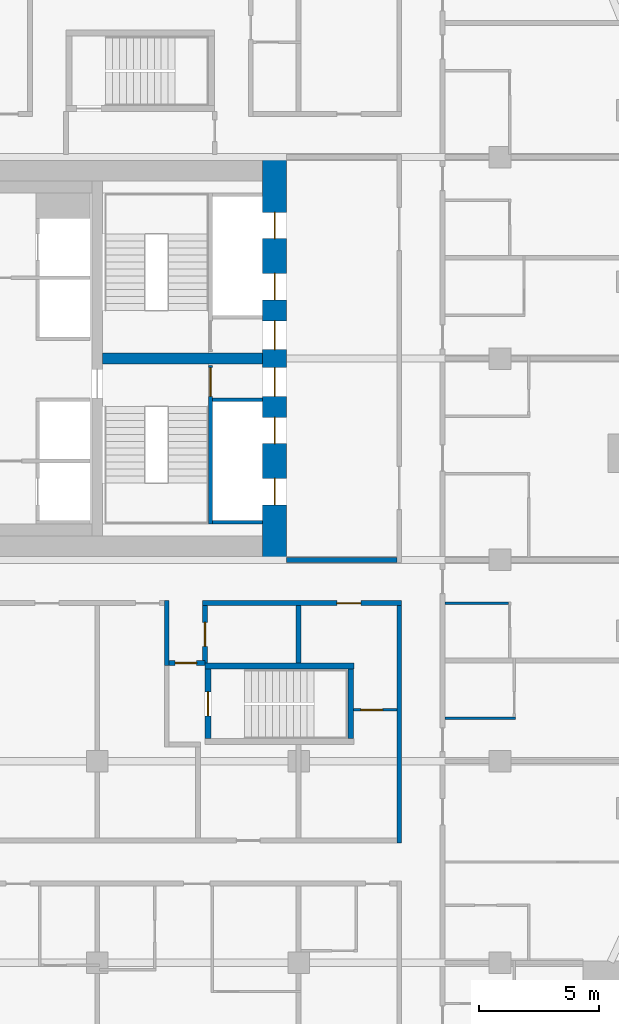
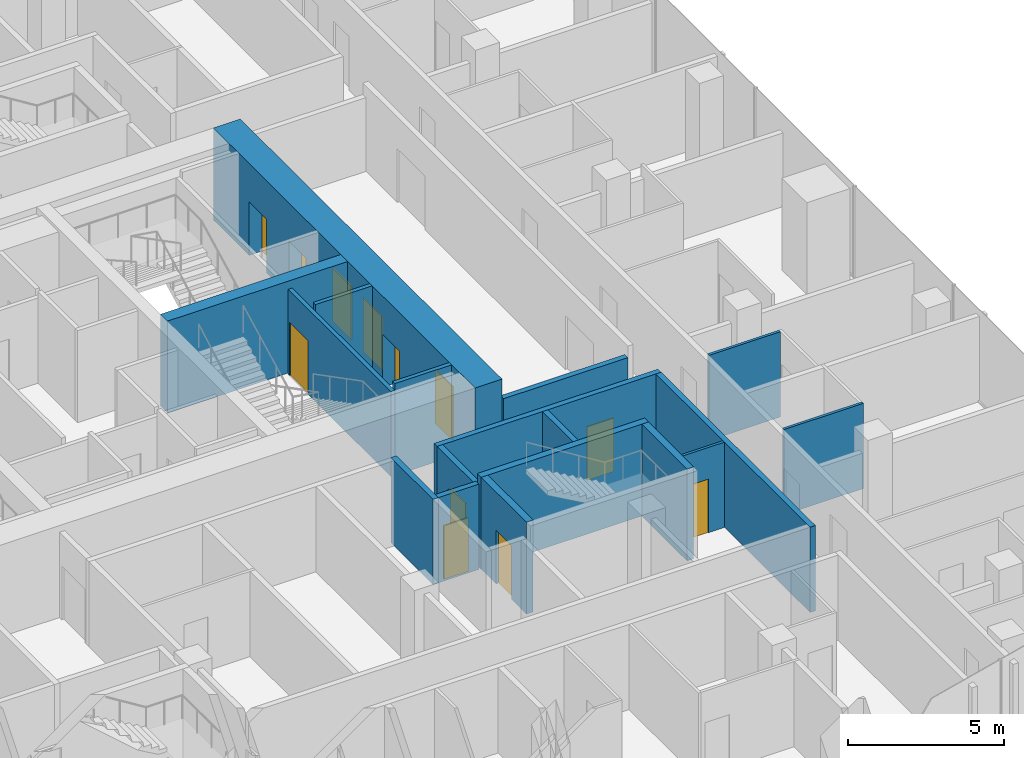
# One storey, part 17 of 23: 18 walls, 12 doors, 12 openings.
"""IFC4 building model written with IfcOpenShell, lengths in metres."""

from ifc_helpers import new_model, si_unit, direction, frame, frame_2d, origin, place, context, subcontext, project, spatial, rectangle, extrude, material, layer, layer_set, type_object, element, fill, save


model = new_model("IFC4")

# Units and contexts
model_context = context("Model", 3, precision=1e-05, world=origin(), true_north=direction((0.0, 1.0)))
body_context = subcontext(model_context, "Body", "Model", "MODEL_VIEW")
ifc_project = project(units=[si_unit("LENGTHUNIT", "METRE"), si_unit("AREAUNIT", "SQUARE_METRE"), si_unit("VOLUMEUNIT", "CUBIC_METRE"), si_unit("PLANEANGLEUNIT", "RADIAN"), si_unit("MASSUNIT", "GRAM", prefix="KILO")], contexts=[model_context])

# Site, building, storey
site_placement = place(None, origin())
site = spatial("IfcSite", under=ifc_project, at=site_placement, CompositionType="ELEMENT")
building_placement = place(site_placement, origin())
building = spatial("IfcBuilding", under=site, at=building_placement, Name="Marenta Gate Hotel Tower", CompositionType="ELEMENT")
storey_placement = place(building_placement, frame((0.0, 0.0, 126.5)))
storey = spatial("IfcBuildingStorey", under=building, at=storey_placement, Name="L28", CompositionType="ELEMENT", Elevation=126.5)

# Walls
ifc_material_1 = material(Name="Concrete blockwork", Category="masonry")
ifc_layer_1 = layer(ifc_material_1, 0.199951171875)
ifc_layer_set_1 = layer_set([ifc_layer_1], Name="Concrete blockwork")
wall_type_1 = type_object("IfcWallType", Name="Core boundary wall 200 REI 180", PredefinedType="PARTITIONING", material=ifc_layer_set_1)
wall_1_placement = place(storey_placement, frame((12.10009765625, 0.0, 0.0), z_axis=(0.0, 0.0, 1.0), x_axis=(1.0, 0.0, 0.0)))
element("IfcWall", 1, at=wall_1_placement, inside=storey, type_object=wall_type_1, Name="L28-CP-EW-ES", PredefinedType="PARTITIONING", context=body_context, shape_type="SweptSolid", body=[
    extrude(rectangle(XDim=4.599853515625, YDim=0.199951171875, at=frame_2d((2.2998046875, 0.0))), origin(), (0.0, 0.0, 1.0), 2.889892578125),
])
ifc_material_2 = material(Name="Concrete C40", Category="concrete")
ifc_layer_2 = layer(ifc_material_2, 0.14990234375)
ifc_layer_set_2 = layer_set([ifc_layer_2], Name="Concrete C40")
wall_type_2 = type_object("IfcWallType", Name="Core shaft wall 150 REI 180", PredefinedType="SHEAR", material=ifc_layer_set_2)
for number, where, z_axis, x_axis, name in (
    (2, (9.0, 6.675048828125, 0.0), (0.0, 0.0, 1.0), (1.0, 0.0, 0.0), "L28-SHF-SW-ES-2"),
    (3, (9.0, 1.574951171875, 0.0), (0.0, 0.0, 1.0), (1.0, 0.0, 0.0), "L28-SHF-SW-ES-5"),
):
    element("IfcWall", number, at=place(storey_placement, frame(where, z_axis=z_axis, x_axis=x_axis)), inside=storey, type_object=wall_type_2, Name=name, PredefinedType="SHEAR", context=body_context, shape_type="SweptSolid", body=[
        extrude(rectangle(XDim=2.10009765625, YDim=0.14990234375, at=frame_2d((1.050048828125, 0.0))), origin(), (0.0, 0.0, 1.0), 3.60009765625),
    ])

# Wall, opening, door
ifc_material_3 = material(Name="Concrete C40", Category="concrete")
ifc_layer_3 = layer(ifc_material_3, 0.14990234375)
ifc_layer_set_3 = layer_set([ifc_layer_3], Name="Concrete C40")
wall_type_3 = type_object("IfcWallType", Name="Core stair enclosure wall 150 REI 180", PredefinedType="SHEAR", material=ifc_layer_set_3)
wall_2_placement = place(storey_placement, frame((8.925048828125, 1.5, 0.0), z_axis=(0.0, 0.0, 1.0), x_axis=(0.0, 1.0, 0.0)))
wall_2 = element("IfcWall", 4, at=wall_2_placement, inside=storey, type_object=wall_type_3, Name="L28-SHF-SW-ES-3", PredefinedType="SHEAR", context=body_context, shape_type="SweptSolid", body=[
    extrude(rectangle(XDim=6.60009765625, YDim=0.14990234375, at=frame_2d((3.300048828125, 0.0))), origin(), (0.0, 0.0, 1.0), 3.340087890625),
])
opening_1_placement = place(wall_2_placement, frame((5.324951171875, 0.0, 0.0)))
opening_1 = element("IfcOpeningElement", 5, at=opening_1_placement, cuts=wall_2, Name="Opening SD-ES", PredefinedType="OPENING", context=body_context, shape_type="SweptSolid", body=[
    extrude(rectangle(XDim=1.199951171875, YDim=2.10009765625, at=frame_2d((0.60009765625, 1.050048828125))), frame((0.0, 0.074951171875, 0.0), z_axis=(0.0, -1.0, 0.0), x_axis=(1.0, 0.0, 0.0)), (0.0, 0.0, 1.0), 0.14990234375),
])
ifc_material_4 = material(Name="Steel", Category="steel")
door_type_1 = type_object("IfcDoorType", Name="Core stair door 1200x2100 FD60", OperationType="SINGLE_SWING_LEFT", PredefinedType="DOOR", material=ifc_material_4)
door_1_placement = place(opening_1_placement, origin())
door_1 = element("IfcDoor", 6, at=door_1_placement, inside=storey, type_object=door_type_1, Name="SD-ES", OperationType="SINGLE_SWING_LEFT", OverallHeight=2.10009765625, OverallWidth=1.199951171875, PredefinedType="DOOR", context=body_context, shape_type="SweptSolid", body=[
    extrude(rectangle(XDim=1.199951171875, YDim=2.10009765625, at=frame_2d((0.60009765625, 1.050048828125))), frame((0.0, 0.02490234375, 0.0), z_axis=(0.0, -1.0, 0.0), x_axis=(1.0, 0.0, 0.0)), (0.0, 0.0, 1.0), 0.050048828125),
])
fill(opening_1, door_1)

# Wall, openings, doors
ifc_material_5 = material(Name="Concrete C70", Category="concrete")
ifc_layer_4 = layer(ifc_material_5, 1.0)
ifc_layer_set_4 = layer_set([ifc_layer_4], Name="Concrete C70")
wall_type_4 = type_object("IfcWallType", Name="Core wall 1000 C70", PredefinedType="SHEAR", material=ifc_layer_set_4)
wall_3_placement = place(storey_placement, frame((11.60009765625, 0.0, 0.0), z_axis=(0.0, 0.0, 1.0), x_axis=(0.0, 1.0, 0.0)))
wall_3 = element("IfcWall", 7, at=wall_3_placement, inside=storey, type_object=wall_type_4, Name="L28-CORE-E", PredefinedType="SHEAR", context=body_context, shape_type="SweptSolid", body=[
    extrude(rectangle(XDim=16.800048828125, YDim=1.0, at=frame_2d((8.39990234375, 0.0))), origin(), (0.0, 0.0, 1.0), 3.60009765625),
])
opening_2_placement = place(wall_3_placement, frame((2.300048828125, 0.0, 0.0)))
opening_2 = element("IfcOpeningElement", 8, at=opening_2_placement, cuts=wall_3, Name="Opening LD-HR1", PredefinedType="OPENING", context=body_context, shape_type="SweptSolid", body=[
    extrude(rectangle(XDim=1.10009765625, YDim=2.10009765625, at=frame_2d((0.550048828125, 1.050048828125))), frame((0.0, 0.5, 0.0), z_axis=(0.0, -1.0, 0.0), x_axis=(1.0, 0.0, 0.0)), (0.0, 0.0, 1.0), 1.0),
])
opening_3_placement = place(wall_3_placement, frame((4.85009765625, 0.0, 0.0)))
opening_3 = element("IfcOpeningElement", 9, at=opening_3_placement, cuts=wall_3, Name="Opening LD-HR2", PredefinedType="OPENING", context=body_context, shape_type="SweptSolid", body=[
    extrude(rectangle(XDim=1.10009765625, YDim=2.10009765625, at=frame_2d((0.550048828125, 1.050048828125))), frame((0.0, 0.5, 0.0), z_axis=(0.0, -1.0, 0.0), x_axis=(1.0, 0.0, 0.0)), (0.0, 0.0, 1.0), 1.0),
])
opening_4_placement = place(wall_3_placement, frame((6.824951171875, 0.0, 0.0)))
opening_4 = element("IfcOpeningElement", 10, at=opening_4_placement, cuts=wall_3, Name="Opening PD-ES", PredefinedType="OPENING", context=body_context, shape_type="SweptSolid", body=[
    extrude(rectangle(XDim=1.199951171875, YDim=2.10009765625, at=frame_2d((0.60009765625, 1.050048828125))), frame((0.0, 0.5, 0.0), z_axis=(0.0, -1.0, 0.0), x_axis=(1.0, 0.0, 0.0)), (0.0, 0.0, 1.0), 1.0),
])
opening_5_placement = place(wall_3_placement, frame((13.39990234375, 0.0, 0.0)))
opening_5 = element("IfcOpeningElement", 11, at=opening_5_placement, cuts=wall_3, Name="Opening LD-HR4", PredefinedType="OPENING", context=body_context, shape_type="SweptSolid", body=[
    extrude(rectangle(XDim=1.10009765625, YDim=2.10009765625, at=frame_2d((0.550048828125, 1.050048828125))), frame((0.0, 0.5, 0.0), z_axis=(0.0, -1.0, 0.0), x_axis=(1.0, 0.0, 0.0)), (0.0, 0.0, 1.0), 1.0),
])
opening_6_placement = place(wall_3_placement, frame((10.85009765625, 0.0, 0.0)))
opening_6 = element("IfcOpeningElement", 12, at=opening_6_placement, cuts=wall_3, Name="Opening LD-HR3", PredefinedType="OPENING", context=body_context, shape_type="SweptSolid", body=[
    extrude(rectangle(XDim=1.10009765625, YDim=2.10009765625, at=frame_2d((0.550048828125, 1.050048828125))), frame((0.0, 0.5, 0.0), z_axis=(0.0, -1.0, 0.0), x_axis=(1.0, 0.0, 0.0)), (0.0, 0.0, 1.0), 1.0),
])
opening_7_placement = place(wall_3_placement, frame((8.77490234375, 0.0, 0.0)))
opening_7 = element("IfcOpeningElement", 13, at=opening_7_placement, cuts=wall_3, Name="Opening PD-EN", PredefinedType="OPENING", context=body_context, shape_type="SweptSolid", body=[
    extrude(rectangle(XDim=1.199951171875, YDim=2.10009765625, at=frame_2d((0.60009765625, 1.050048828125))), frame((0.0, 0.5, 0.0), z_axis=(0.0, -1.0, 0.0), x_axis=(1.0, 0.0, 0.0)), (0.0, 0.0, 1.0), 1.0),
])
ifc_material_6 = material(Name="Steel", Category="steel")
door_type_2 = type_object("IfcDoorType", Name="Core lift landing door 1100x2100 E 60", OperationType="SLIDING_TO_LEFT", PredefinedType="DOOR", material=ifc_material_6)
door_2_placement = place(opening_2_placement, origin())
door_2 = element("IfcDoor", 14, at=door_2_placement, inside=storey, type_object=door_type_2, Name="LD-HR1", OperationType="SLIDING_TO_LEFT", OverallHeight=2.10009765625, OverallWidth=1.10009765625, PredefinedType="DOOR", context=body_context, shape_type="SweptSolid", body=[
    extrude(rectangle(XDim=1.10009765625, YDim=2.10009765625, at=frame_2d((0.550048828125, 1.050048828125))), frame((0.0, 0.02490234375, 0.0), z_axis=(0.0, -1.0, 0.0), x_axis=(1.0, 0.0, 0.0)), (0.0, 0.0, 1.0), 0.050048828125),
])
fill(opening_2, door_2)
door_3_placement = place(opening_3_placement, origin())
door_3 = element("IfcDoor", 15, at=door_3_placement, inside=storey, type_object=door_type_2, Name="LD-HR2", OperationType="SLIDING_TO_LEFT", OverallHeight=2.10009765625, OverallWidth=1.10009765625, PredefinedType="DOOR", context=body_context, shape_type="SweptSolid", body=[
    extrude(rectangle(XDim=1.10009765625, YDim=2.10009765625, at=frame_2d((0.550048828125, 1.050048828125))), frame((0.0, 0.02490234375, 0.0), z_axis=(0.0, -1.0, 0.0), x_axis=(1.0, 0.0, 0.0)), (0.0, 0.0, 1.0), 0.050048828125),
])
fill(opening_3, door_3)
door_4_placement = place(opening_5_placement, origin())
door_4 = element("IfcDoor", 16, at=door_4_placement, inside=storey, type_object=door_type_2, Name="LD-HR4", OperationType="SLIDING_TO_LEFT", OverallHeight=2.10009765625, OverallWidth=1.10009765625, PredefinedType="DOOR", context=body_context, shape_type="SweptSolid", body=[
    extrude(rectangle(XDim=1.10009765625, YDim=2.10009765625, at=frame_2d((0.550048828125, 1.050048828125))), frame((0.0, 0.02490234375, 0.0), z_axis=(0.0, -1.0, 0.0), x_axis=(1.0, 0.0, 0.0)), (0.0, 0.0, 1.0), 0.050048828125),
])
fill(opening_5, door_4)
door_5_placement = place(opening_6_placement, origin())
door_5 = element("IfcDoor", 17, at=door_5_placement, inside=storey, type_object=door_type_2, Name="LD-HR3", OperationType="SLIDING_TO_LEFT", OverallHeight=2.10009765625, OverallWidth=1.10009765625, PredefinedType="DOOR", context=body_context, shape_type="SweptSolid", body=[
    extrude(rectangle(XDim=1.10009765625, YDim=2.10009765625, at=frame_2d((0.550048828125, 1.050048828125))), frame((0.0, 0.02490234375, 0.0), z_axis=(0.0, -1.0, 0.0), x_axis=(1.0, 0.0, 0.0)), (0.0, 0.0, 1.0), 0.050048828125),
])
fill(opening_6, door_5)
ifc_material_7 = material(Name="Steel", Category="steel")
door_type_3 = type_object("IfcDoorType", Name="Core lobby door 1200x2100 FD60", OperationType="SINGLE_SWING_LEFT", PredefinedType="DOOR", material=ifc_material_7)
door_6_placement = place(opening_4_placement, origin())
door_6 = element("IfcDoor", 18, at=door_6_placement, inside=storey, type_object=door_type_3, Name="PD-ES", OperationType="SINGLE_SWING_LEFT", OverallHeight=2.10009765625, OverallWidth=1.199951171875, PredefinedType="DOOR", context=body_context, shape_type="SweptSolid", body=[
    extrude(rectangle(XDim=1.199951171875, YDim=2.10009765625, at=frame_2d((0.60009765625, 1.050048828125))), frame((0.0, 0.02490234375, 0.0), z_axis=(0.0, -1.0, 0.0), x_axis=(1.0, 0.0, 0.0)), (0.0, 0.0, 1.0), 0.050048828125),
])
fill(opening_4, door_6)
door_7_placement = place(opening_7_placement, origin())
door_7 = element("IfcDoor", 19, at=door_7_placement, inside=storey, type_object=door_type_3, Name="PD-EN", OperationType="SINGLE_SWING_LEFT", OverallHeight=2.10009765625, OverallWidth=1.199951171875, PredefinedType="DOOR", context=body_context, shape_type="SweptSolid", body=[
    extrude(rectangle(XDim=1.199951171875, YDim=2.10009765625, at=frame_2d((0.60009765625, 1.050048828125))), frame((0.0, 0.02490234375, 0.0), z_axis=(0.0, -1.0, 0.0), x_axis=(1.0, 0.0, 0.0)), (0.0, 0.0, 1.0), 0.050048828125),
])
fill(opening_7, door_7)

# Walls
ifc_material_8 = material(Name="Concrete C70", Category="concrete")
ifc_layer_5 = layer(ifc_material_8, 0.449951171875)
ifc_layer_set_5 = layer_set([ifc_layer_5], Name="Concrete C70")
wall_type_5 = type_object("IfcWallType", Name="Core web 450 C70", PredefinedType="SHEAR", material=ifc_layer_set_5)
wall_4_placement = place(storey_placement, frame((4.425048828125, 8.39990234375, 0.0), z_axis=(0.0, 0.0, 1.0), x_axis=(1.0, 0.0, 0.0)))
element("IfcWall", 20, at=wall_4_placement, inside=storey, type_object=wall_type_5, Name="L28-CORE-W4", PredefinedType="SHEAR", context=body_context, shape_type="SweptSolid", body=[
    extrude(rectangle(XDim=6.675048828125, YDim=0.449951171875, at=frame_2d((3.33740234375, 0.0))), origin(), (0.0, 0.0, 1.0), 3.60009765625),
])
ifc_material_9 = material(Name="Concrete C40", Category="concrete")
ifc_layer_6 = layer(ifc_material_9, 0.25)
ifc_layer_set_6 = layer_set([ifc_layer_6], Name="Concrete C40")
wall_type_6 = type_object("IfcWallType", Name="Remote stair enclosure wall 250 REI 180", PredefinedType="SHEAR", material=ifc_layer_set_6)
wall_5_placement = place(storey_placement, frame((8.699951171875, -4.425048828125, 0.10009765625), z_axis=(0.0, 0.0, 1.0), x_axis=(1.0, 0.0, 0.0)))
element("IfcWall", 21, at=wall_5_placement, inside=storey, type_object=wall_type_6, Name="L28-RS-Z2-2-W2", PredefinedType="SHEAR", context=body_context, shape_type="SweptSolid", body=[
    extrude(rectangle(XDim=6.199951171875, YDim=0.25, at=frame_2d((3.10009765625, 0.0))), origin(), (0.0, 0.0, 1.0), 3.599853515625),
])

# Wall, opening, door
wall_6_placement = place(storey_placement, frame((8.824951171875, -7.449951171875, 0.10009765625), z_axis=(0.0, 0.0, 1.0), x_axis=(0.0, 1.0, 0.0)))
wall_6 = element("IfcWall", 22, at=wall_6_placement, inside=storey, type_object=wall_type_6, Name="L28-RS-Z2-2-W3", PredefinedType="SHEAR", context=body_context, shape_type="SweptSolid", body=[
    extrude(rectangle(XDim=2.89990234375, YDim=0.25, at=frame_2d((1.449951171875, 0.0))), origin(), (0.0, 0.0, 1.0), 3.599853515625),
])
opening_8_placement = place(wall_6_placement, frame((0.949951171875, 0.0, 0.0)))
opening_8 = element("IfcOpeningElement", 23, at=opening_8_placement, cuts=wall_6, Name="Opening VD", PredefinedType="OPENING", context=body_context, shape_type="SweptSolid", body=[
    extrude(rectangle(XDim=1.0, YDim=2.10009765625, at=frame_2d((0.5, 1.050048828125))), frame((0.0, 0.125, 0.0), z_axis=(0.0, -1.0, 0.0), x_axis=(1.0, 0.0, 0.0)), (0.0, 0.0, 1.0), 0.25),
])
ifc_material_10 = material(Name="Steel", Category="steel")
door_type_4 = type_object("IfcDoorType", Name="Stair vestibule door 1000x2100 FD60", OperationType="SINGLE_SWING_LEFT", PredefinedType="DOOR", material=ifc_material_10)
door_8_placement = place(opening_8_placement, origin())
door_8 = element("IfcDoor", 24, at=door_8_placement, inside=storey, type_object=door_type_4, Name="VD", OperationType="SINGLE_SWING_LEFT", OverallHeight=2.10009765625, OverallWidth=1.0, PredefinedType="DOOR", context=body_context, shape_type="SweptSolid", body=[
    extrude(rectangle(XDim=1.0, YDim=2.10009765625, at=frame_2d((0.5, 1.050048828125))), frame((0.0, 0.02490234375, 0.0), z_axis=(0.0, -1.0, 0.0), x_axis=(1.0, 0.0, 0.0)), (0.0, 0.0, 1.0), 0.050048828125),
])
fill(opening_8, door_8)

# Walls
wall_7_placement = place(storey_placement, frame((14.77490234375, -7.449951171875, 0.10009765625), z_axis=(0.0, 0.0, 1.0), x_axis=(0.0, 1.0, 0.0)))
element("IfcWall", 25, at=wall_7_placement, inside=storey, type_object=wall_type_6, Name="L28-RS-Z2-2-W4", PredefinedType="SHEAR", context=body_context, shape_type="SweptSolid", body=[
    extrude(rectangle(XDim=2.89990234375, YDim=0.25, at=frame_2d((1.449951171875, 0.0))), origin(), (0.0, 0.0, 1.0), 3.599853515625),
])
ifc_material_11 = material(Name="Concrete blockwork", Category="masonry")
ifc_layer_7 = layer(ifc_material_11, 0.199951171875)
ifc_layer_set_7 = layer_set([ifc_layer_7], Name="Concrete blockwork")
wall_type_7 = type_object("IfcWallType", Name="Room corridor wall 200 EI 120", PredefinedType="PARTITIONING", material=ifc_layer_set_7)
wall_8_placement = place(storey_placement, frame((16.800048828125, -11.800048828125, 0.0), z_axis=(0.0, 0.0, 1.0), x_axis=(0.0, 1.0, 0.0)))
element("IfcWall", 26, at=wall_8_placement, inside=storey, type_object=wall_type_7, Name="L28-PTN-W021", PredefinedType="PARTITIONING", context=body_context, shape_type="SweptSolid", body=[
    extrude(rectangle(XDim=9.900146484375, YDim=0.199951171875, at=frame_2d((4.9501953125, 0.0))), origin(), (0.0, 0.0, 1.0), 3.340087890625),
])

# Wall, opening, door
ifc_material_12 = material(Name="Gypsum board on steel stud", Category="steel")
ifc_layer_8 = layer(ifc_material_12, 0.199951171875)
ifc_layer_set_8 = layer_set([ifc_layer_8], Name="Gypsum board on steel stud")
wall_type_8 = type_object("IfcWallType", Name="Room corridor wall 200 EI 60", PredefinedType="PARTITIONING", material=ifc_layer_set_8)
wall_9_placement = place(storey_placement, frame((8.699951171875, -4.300048828125, 0.0), z_axis=(0.0, 0.0, 1.0), x_axis=(0.0, 1.0, 0.0)))
wall_9 = element("IfcWall", 27, at=wall_9_placement, inside=storey, type_object=wall_type_8, Name="L28-PTN-W045", PredefinedType="PARTITIONING", context=body_context, shape_type="SweptSolid", body=[
    extrude(rectangle(XDim=2.400146484375, YDim=0.199951171875, at=frame_2d((1.2001953125, 0.0))), origin(), (0.0, 0.0, 1.0), 3.340087890625),
])
opening_9_placement = place(wall_9_placement, frame((0.699951171875, 0.0, 0.0)))
opening_9 = element("IfcOpeningElement", 28, at=opening_9_placement, cuts=wall_9, Name="Opening G10-74", PredefinedType="OPENING", context=body_context, shape_type="SweptSolid", body=[
    extrude(rectangle(XDim=1.0, YDim=2.10009765625, at=frame_2d((0.5, 1.050048828125))), frame((0.0, 0.10009765625, 0.0), z_axis=(0.0, -1.0, 0.0), x_axis=(1.0, 0.0, 0.0)), (0.0, 0.0, 1.0), 0.199951171875),
])
ifc_material_13 = material(Name="Timber door leaf", Category="wood")
door_type_5 = type_object("IfcDoorType", Name="Room amenity door 1000x2100 EI 30", OperationType="NOTDEFINED", PredefinedType="DOOR", material=ifc_material_13)
door_9_placement = place(opening_9_placement, origin())
door_9 = element("IfcDoor", 29, at=door_9_placement, inside=storey, type_object=door_type_5, Name="L28-PD-D074", OperationType="SINGLE_SWING_LEFT", OverallHeight=2.10009765625, OverallWidth=1.0, PredefinedType="DOOR", context=body_context, shape_type="SweptSolid", body=[
    extrude(rectangle(XDim=1.0, YDim=2.10009765625, at=frame_2d((0.5, 1.050048828125))), frame((0.0, 0.02490234375, 0.0), z_axis=(0.0, -1.0, 0.0), x_axis=(1.0, 0.0, 0.0)), (0.0, 0.0, 1.0), 0.050048828125),
])
fill(opening_9, door_9)

# Wall
wall_10_placement = place(storey_placement, frame((7.10009765625, -4.39990234375, 0.0), z_axis=(0.0, 0.0, 1.0), x_axis=(0.0, 1.0, 0.0)))
element("IfcWall", 30, at=wall_10_placement, inside=storey, type_object=wall_type_8, Name="L28-PTN-W054", PredefinedType="PARTITIONING", context=body_context, shape_type="SweptSolid", body=[
    extrude(rectangle(XDim=2.699951171875, YDim=0.199951171875, at=frame_2d((1.35009765625, 0.0))), origin(), (0.0, 0.0, 1.0), 3.340087890625),
])

# Wall, opening, door
wall_11_placement = place(storey_placement, frame((8.60009765625, -1.800048828125, 0.0), z_axis=(0.0, 0.0, 1.0), x_axis=(1.0, 0.0, 0.0)))
wall_11 = element("IfcWall", 31, at=wall_11_placement, inside=storey, type_object=wall_type_8, Name="L28-PTN-W069", PredefinedType="PARTITIONING", context=body_context, shape_type="SweptSolid", body=[
    extrude(rectangle(XDim=8.2998046875, YDim=0.199951171875, at=frame_2d((4.14990234375, 0.0))), origin(), (0.0, 0.0, 1.0), 3.340087890625),
])
opening_10_placement = place(wall_11_placement, frame((5.60009765625, 0.0, 0.0)))
opening_10 = element("IfcOpeningElement", 32, at=opening_10_placement, cuts=wall_11, Name="Opening G10-08", PredefinedType="OPENING", context=body_context, shape_type="SweptSolid", body=[
    extrude(rectangle(XDim=1.0, YDim=2.10009765625, at=frame_2d((0.5, 1.050048828125))), frame((0.0, 0.10009765625, 0.0), z_axis=(0.0, -1.0, 0.0), x_axis=(1.0, 0.0, 0.0)), (0.0, 0.0, 1.0), 0.199951171875),
])
ifc_material_14 = material(Name="Hollow steel door set", Category="steel")
door_type_6 = type_object("IfcDoorType", Name="Room service door 1000x2100 EI 30", OperationType="NOTDEFINED", PredefinedType="DOOR", material=ifc_material_14)
door_10_placement = place(opening_10_placement, origin())
door_10 = element("IfcDoor", 33, at=door_10_placement, inside=storey, type_object=door_type_6, Name="L28-PD-D008", OperationType="SINGLE_SWING_RIGHT", OverallHeight=2.10009765625, OverallWidth=1.0, PredefinedType="DOOR", context=body_context, shape_type="SweptSolid", body=[
    extrude(rectangle(XDim=1.0, YDim=2.10009765625, at=frame_2d((0.5, 1.050048828125))), frame((0.0, 0.02490234375, 0.0), z_axis=(0.0, -1.0, 0.0), x_axis=(1.0, 0.0, 0.0)), (0.0, 0.0, 1.0), 0.050048828125),
])
fill(opening_10, door_10)

ifc_material_15 = material(Name="Concrete blockwork", Category="masonry")
ifc_layer_9 = layer(ifc_material_15, 0.199951171875)
ifc_layer_set_9 = layer_set([ifc_layer_9], Name="Concrete blockwork")
wall_type_9 = type_object("IfcWallType", Name="Room corridor wall 200 REI 180", PredefinedType="PARTITIONING", material=ifc_layer_set_9)
wall_12_placement = place(storey_placement, frame((7.199951171875, -4.300048828125, 0.0), z_axis=(0.0, 0.0, 1.0), x_axis=(1.0, 0.0, 0.0)))
wall_12 = element("IfcWall", 34, at=wall_12_placement, inside=storey, type_object=wall_type_9, Name="L28-PTN-W060", PredefinedType="PARTITIONING", context=body_context, shape_type="SweptSolid", body=[
    extrude(rectangle(XDim=1.5, YDim=0.199951171875, at=frame_2d((0.75, 0.0))), origin(), (0.0, 0.0, 1.0), 3.340087890625),
])
opening_11_placement = place(wall_12_placement, frame((0.25, 0.0, 0.0)))
opening_11 = element("IfcOpeningElement", 35, at=opening_11_placement, cuts=wall_12, Name="Opening G10-71", PredefinedType="OPENING", context=body_context, shape_type="SweptSolid", body=[
    extrude(rectangle(XDim=0.89990234375, YDim=2.10009765625, at=frame_2d((0.449951171875, 1.050048828125))), frame((0.0, 0.10009765625, 0.0), z_axis=(0.0, -1.0, 0.0), x_axis=(1.0, 0.0, 0.0)), (0.0, 0.0, 1.0), 0.199951171875),
])
ifc_material_16 = material(Name="Hollow steel door set", Category="steel")
door_type_7 = type_object("IfcDoorType", Name="Stair vestibule door 900x2100 EI 60", OperationType="NOTDEFINED", PredefinedType="DOOR", material=ifc_material_16)
door_11_placement = place(opening_11_placement, origin())
door_11 = element("IfcDoor", 36, at=door_11_placement, inside=storey, type_object=door_type_7, Name="L28-PD-D071", OperationType="SINGLE_SWING_LEFT", OverallHeight=2.10009765625, OverallWidth=0.89990234375, PredefinedType="DOOR", context=body_context, shape_type="SweptSolid", body=[
    extrude(rectangle(XDim=0.89990234375, YDim=2.10009765625, at=frame_2d((0.449951171875, 1.050048828125))), frame((0.0, 0.02490234375, 0.0), z_axis=(0.0, -1.0, 0.0), x_axis=(1.0, 0.0, 0.0)), (0.0, 0.0, 1.0), 0.050048828125),
])
fill(opening_11, door_11)

# Wall
ifc_material_17 = material(Name="Gypsum board on steel stud", Category="steel")
ifc_layer_10 = layer(ifc_material_17, 0.10009765625)
ifc_layer_set_10 = layer_set([ifc_layer_10], Name="Gypsum board on steel stud")
wall_type_10 = type_object("IfcWallType", Name="Room partition 100", PredefinedType="PARTITIONING", material=ifc_layer_set_10)
wall_13_placement = place(storey_placement, frame((18.699951171875, -6.60009765625, 0.0), z_axis=(0.0, 0.0, 1.0), x_axis=(1.0, 0.0, 0.0)))
element("IfcWall", 37, at=wall_13_placement, inside=storey, type_object=wall_type_10, Name="L28-PTN-W056", PredefinedType="PARTITIONING", context=body_context, shape_type="SweptSolid", body=[
    extrude(rectangle(XDim=2.949951171875, YDim=0.10009765625, at=frame_2d((1.47509765625, 0.0))), origin(), (0.0, 0.0, 1.0), 3.340087890625),
])

# Wall, opening, door
wall_14_placement = place(storey_placement, frame((14.89990234375, -6.2548828125, 0.0), z_axis=(0.0, 0.0, 1.0), x_axis=(1.0, 0.0, 0.0)))
wall_14 = element("IfcWall", 38, at=wall_14_placement, inside=storey, type_object=wall_type_10, Name="L28-PTN-W057", PredefinedType="PARTITIONING", context=body_context, shape_type="SweptSolid", body=[
    extrude(rectangle(XDim=1.800048828125, YDim=0.10009765625, at=frame_2d((0.89990234375, 0.0))), origin(), (0.0, 0.0, 1.0), 3.340087890625),
])
opening_12_placement = place(wall_14_placement, frame((0.300048828125, 0.0, 0.0)))
opening_12 = element("IfcOpeningElement", 39, at=opening_12_placement, cuts=wall_14, Name="Opening G10-09", PredefinedType="OPENING", context=body_context, shape_type="SweptSolid", body=[
    extrude(rectangle(XDim=0.89990234375, YDim=2.10009765625, at=frame_2d((0.449951171875, 1.050048828125))), frame((0.0, 0.050048828125, 0.0), z_axis=(0.0, -1.0, 0.0), x_axis=(1.0, 0.0, 0.0)), (0.0, 0.0, 1.0), 0.10009765625),
])
ifc_material_18 = material(Name="Timber door leaf", Category="wood")
door_type_8 = type_object("IfcDoorType", Name="Room inner door 900x2100", OperationType="NOTDEFINED", PredefinedType="DOOR", material=ifc_material_18)
door_12_placement = place(opening_12_placement, origin())
door_12 = element("IfcDoor", 40, at=door_12_placement, inside=storey, type_object=door_type_8, Name="L28-PD-D009", OperationType="SINGLE_SWING_LEFT", OverallHeight=2.10009765625, OverallWidth=0.89990234375, PredefinedType="DOOR", context=body_context, shape_type="SweptSolid", body=[
    extrude(rectangle(XDim=0.89990234375, YDim=2.10009765625, at=frame_2d((0.449951171875, 1.050048828125))), frame((0.0, 0.02490234375, 0.0), z_axis=(0.0, -1.0, 0.0), x_axis=(1.0, 0.0, 0.0)), (0.0, 0.0, 1.0), 0.050048828125),
])
fill(opening_12, door_12)

# Walls
wall_15_placement = place(storey_placement, frame((18.699951171875, -1.800048828125, 0.0), z_axis=(0.0, 0.0, 1.0), x_axis=(1.0, 0.0, 0.0)))
element("IfcWall", 41, at=wall_15_placement, inside=storey, type_object=wall_type_10, Name="L28-PTN-W070", PredefinedType="PARTITIONING", context=body_context, shape_type="SweptSolid", body=[
    extrude(rectangle(XDim=2.650146484375, YDim=0.10009765625, at=frame_2d((1.3251953125, 0.0))), origin(), (0.0, 0.0, 1.0), 3.340087890625),
])
ifc_material_19 = material(Name="Gypsum board on steel stud", Category="steel")
ifc_layer_11 = layer(ifc_material_19, 0.199951171875)
ifc_layer_set_11 = layer_set([ifc_layer_11], Name="Gypsum board on steel stud")
wall_type_11 = type_object("IfcWallType", Name="Room party wall 200 EI 60", PredefinedType="PARTITIONING", material=ifc_layer_set_11)
wall_16_placement = place(storey_placement, frame((12.60009765625, -4.300048828125, 0.0), z_axis=(0.0, 0.0, 1.0), x_axis=(0.0, 1.0, 0.0)))
element("IfcWall", 42, at=wall_16_placement, inside=storey, type_object=wall_type_11, Name="L28-PTN-W035", PredefinedType="PARTITIONING", context=body_context, shape_type="SweptSolid", body=[
    extrude(rectangle(XDim=2.400146484375, YDim=0.199951171875, at=frame_2d((1.2001953125, 0.0))), origin(), (0.0, 0.0, 1.0), 3.340087890625),
])

save(model, "model.ifc")
